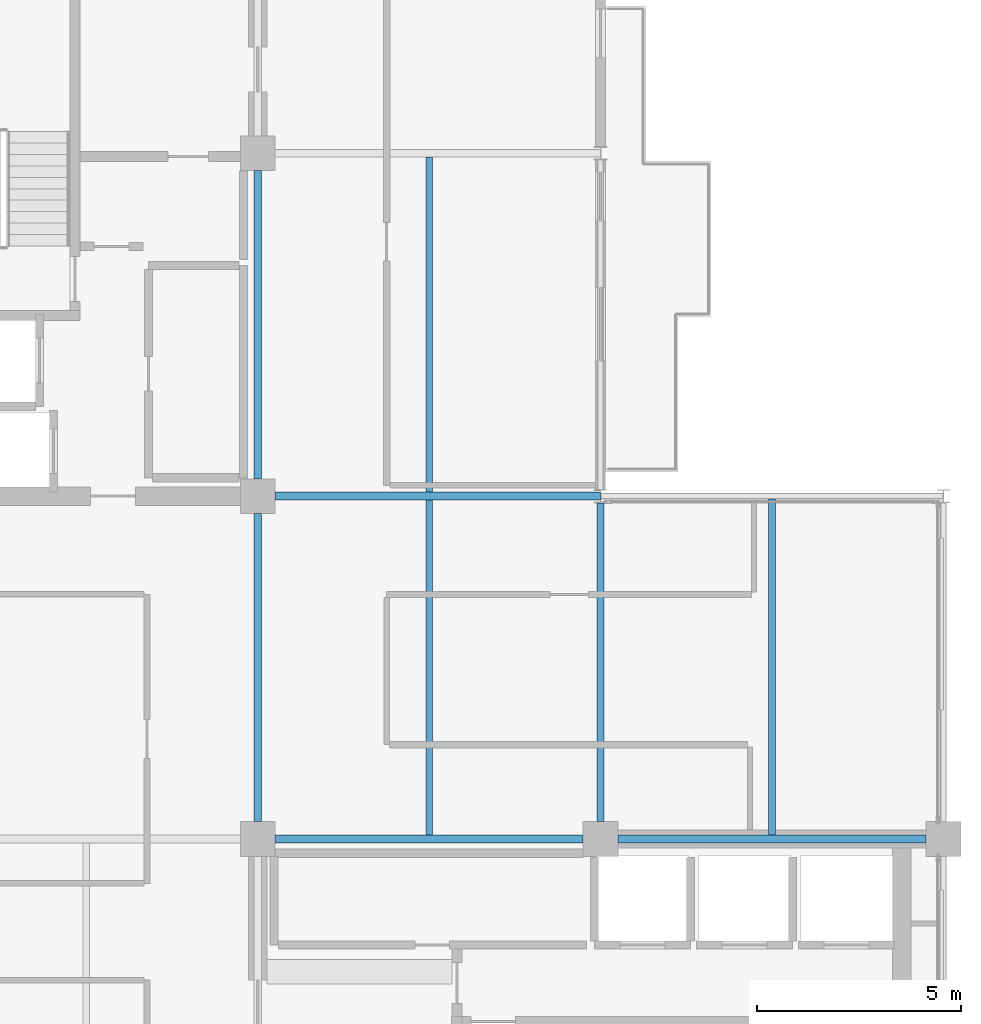
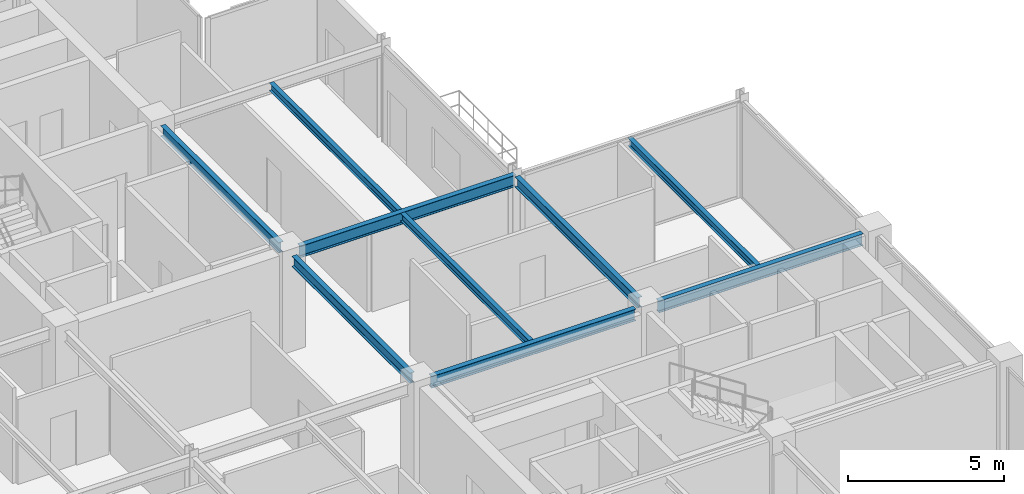
# One storey, part 12 of 24: 9 beams.
"""IFC4 building model written with IfcOpenShell, lengths in metres."""

from ifc_helpers import new_model, si_unit, direction, frame, origin, origin_2d, place, context, subcontext, project, spatial, i_section, extrude, material, material_profile, profile_set, type_object, element, save


model = new_model("IFC4")

# Units and contexts
model_context = context("Model", 3, precision=1e-05, world=origin(), true_north=direction((0.0, 1.0)))
body_context = subcontext(model_context, "Body", "Model", "MODEL_VIEW")
ifc_project = project(units=[si_unit("LENGTHUNIT", "METRE"), si_unit("AREAUNIT", "SQUARE_METRE"), si_unit("VOLUMEUNIT", "CUBIC_METRE"), si_unit("PLANEANGLEUNIT", "RADIAN"), si_unit("MASSUNIT", "GRAM", prefix="KILO")], contexts=[model_context])

# Site, building, storey
site_placement = place(None, origin())
site = spatial("IfcSite", under=ifc_project, at=site_placement, CompositionType="ELEMENT")
building_placement = place(site_placement, origin())
building = spatial("IfcBuilding", under=site, at=building_placement, Name="Nerrivon Quay Data Exchange", CompositionType="ELEMENT")
storey_placement = place(building_placement, frame((0.0, 0.0, 310.199951171875)))
storey = spatial("IfcBuildingStorey", under=building, at=storey_placement, Name="L74", CompositionType="ELEMENT", Elevation=310.199951171875)

# Beams
ifc_material = material(Name="Steel Grade 350", Category="steel")
ifc_material_profile_1 = material_profile(ifc_material, i_section(OverallWidth=0.18994140625, OverallDepth=0.4541015625, WebThickness=0.008544921875, FlangeThickness=0.0126953125, FilletRadius=0.011474609375, at=origin_2d()), Name="460UB67.1")
ifc_profile_set_1 = profile_set([ifc_material_profile_1], Name="Steel Grade 350")
beam_type_1 = type_object("IfcBeamType", Name="BM-G6-460UB67", PredefinedType="BEAM", material=ifc_profile_set_1)
beam_1_placement = place(storey_placement, frame((17.22509765625, 16.800048828125, 3.498046875), z_axis=(1.0, 0.0, 0.0), x_axis=(0.0, 1.0, 0.0)))
element("IfcBeam", 1, at=beam_1_placement, inside=storey, type_object=beam_type_1, Name="L74 EW Girder Y=16.8 (16.8..25.2)", PredefinedType="BEAM", context=body_context, shape_type="SweptSolid", body=[
    extrude(i_section(OverallWidth=0.18994140625, OverallDepth=0.4541015625, WebThickness=0.008544921875, FlangeThickness=0.0126953125, FilletRadius=0.011474609375, at=origin_2d()), origin(), (0.0, 0.0, 1.0), 7.5498046875),
])
beam_2_placement = place(storey_placement, frame((25.625, 16.800048828125, 3.498046875), z_axis=(1.0, 0.0, 0.0), x_axis=(0.0, 1.0, 0.0)))
element("IfcBeam", 2, at=beam_2_placement, inside=storey, type_object=beam_type_1, Name="L74 EW Girder Y=16.8 (25.2..33.6)", PredefinedType="BEAM", context=body_context, shape_type="SweptSolid", body=[
    extrude(i_section(OverallWidth=0.18994140625, OverallDepth=0.4541015625, WebThickness=0.008544921875, FlangeThickness=0.0126953125, FilletRadius=0.011474609375, at=origin_2d()), origin(), (0.0, 0.0, 1.0), 7.550048828125),
])
beam_3_placement = place(storey_placement, frame((17.22509765625, 25.199951171875, 3.498046875), z_axis=(1.0, 0.0, 0.0), x_axis=(0.0, 1.0, 0.0)))
element("IfcBeam", 3, at=beam_3_placement, inside=storey, type_object=beam_type_1, Name="L74 EW Girder Y=25.2 (16.8..25.2)", PredefinedType="BEAM", context=body_context, shape_type="SweptSolid", body=[
    extrude(i_section(OverallWidth=0.18994140625, OverallDepth=0.4541015625, WebThickness=0.008544921875, FlangeThickness=0.0126953125, FilletRadius=0.011474609375, at=origin_2d()), origin(), (0.0, 0.0, 1.0), 7.967041015625),
])
ifc_material_profile_2 = material_profile(ifc_material, i_section(OverallWidth=0.177978515625, OverallDepth=0.406005859375, WebThickness=0.0078125, FlangeThickness=0.0126953125, FilletRadius=0.011474609375, at=origin_2d()), Name="410UB59.7")
ifc_profile_set_2 = profile_set([ifc_material_profile_2], Name="Steel Grade 350")
beam_type_2 = type_object("IfcBeamType", Name="BM-J1-410UB60", PredefinedType="JOIST", material=ifc_profile_set_2)
beam_4_placement = place(storey_placement, frame((16.800048828125, 17.22509765625, 3.52197265625), z_axis=(0.0, 1.0, 0.0), x_axis=(-1.0, 0.0, 0.0)))
element("IfcBeam", 4, at=beam_4_placement, inside=storey, type_object=beam_type_2, Name="L74 NS Girder X=16.8 (16.8..25.2)", PredefinedType="JOIST", context=body_context, shape_type="SweptSolid", body=[
    extrude(i_section(OverallWidth=0.177978515625, OverallDepth=0.406005859375, WebThickness=0.0078125, FlangeThickness=0.0126953125, FilletRadius=0.011474609375, at=origin_2d()), origin(), (0.0, 0.0, 1.0), 7.5498046875),
])
beam_5_placement = place(storey_placement, frame((16.800048828125, 25.625, 3.52197265625), z_axis=(0.0, 1.0, 0.0), x_axis=(-1.0, 0.0, 0.0)))
element("IfcBeam", 5, at=beam_5_placement, inside=storey, type_object=beam_type_2, Name="L74 NS Girder X=16.8 (25.2..33.6)", PredefinedType="JOIST", context=body_context, shape_type="SweptSolid", body=[
    extrude(i_section(OverallWidth=0.177978515625, OverallDepth=0.406005859375, WebThickness=0.0078125, FlangeThickness=0.0126953125, FilletRadius=0.011474609375, at=origin_2d()), origin(), (0.0, 0.0, 1.0), 7.550048828125),
])
beam_6_placement = place(storey_placement, frame((25.199951171875, 17.22509765625, 3.52197265625), z_axis=(0.0, 1.0, 0.0), x_axis=(-1.0, 0.0, 0.0)))
element("IfcBeam", 6, at=beam_6_placement, inside=storey, type_object=beam_type_2, Name="L74 NS Girder X=25.2 (16.8..25.2)", PredefinedType="JOIST", context=body_context, shape_type="SweptSolid", body=[
    extrude(i_section(OverallWidth=0.177978515625, OverallDepth=0.406005859375, WebThickness=0.0078125, FlangeThickness=0.0126953125, FilletRadius=0.011474609375, at=origin_2d()), origin(), (0.0, 0.0, 1.0), 7.8115234375),
])
ifc_material_profile_3 = material_profile(ifc_material, i_section(OverallWidth=0.1650390625, OverallDepth=0.303955078125, WebThickness=0.006103515625, FlangeThickness=0.01025390625, FilletRadius=0.011474609375, at=origin_2d()), Name="310UB40.4")
ifc_profile_set_3 = profile_set([ifc_material_profile_3], Name="Steel Grade 350")
beam_type_3 = type_object("IfcBeamType", Name="BM-J6-310UB40", PredefinedType="JOIST", material=ifc_profile_set_3)
for number, where, z_axis, x_axis, name in (
    (7, (21.0, 16.89501953125, 3.572998046875), (0.0, 1.0, 0.0), (-1.0, 0.0, 0.0), "L74 Secondary Joist X=21.0 (16.8..25.2)"),
    (8, (21.0, 25.294921875, 3.572998046875), (0.0, 1.0, 0.0), (-1.0, 0.0, 0.0), "L74 Secondary Joist X=21.0 (25.2..33.6)"),
):
    element("IfcBeam", number, at=place(storey_placement, frame(where, z_axis=z_axis, x_axis=x_axis)), inside=storey, type_object=beam_type_3, Name=name, PredefinedType="JOIST", context=body_context, shape_type="SweptSolid", body=[
        extrude(i_section(OverallWidth=0.1650390625, OverallDepth=0.303955078125, WebThickness=0.006103515625, FlangeThickness=0.01025390625, FilletRadius=0.011474609375, at=origin_2d()), origin(), (0.0, 0.0, 1.0), 8.2099609375),
    ])
beam_7_placement = place(storey_placement, frame((29.39990234375, 16.89501953125, 3.572998046875), z_axis=(0.0, 1.0, 0.0), x_axis=(-1.0, 0.0, 0.0)))
element("IfcBeam", 9, at=beam_7_placement, inside=storey, type_object=beam_type_3, Name="L74 Secondary Joist X=29.4 (16.8..25.2)", PredefinedType="JOIST", context=body_context, shape_type="SweptSolid", body=[
    extrude(i_section(OverallWidth=0.1650390625, OverallDepth=0.303955078125, WebThickness=0.006103515625, FlangeThickness=0.01025390625, FilletRadius=0.011474609375, at=origin_2d()), origin(), (0.0, 0.0, 1.0), 8.22998046875),
])

save(model, "model.ifc")
